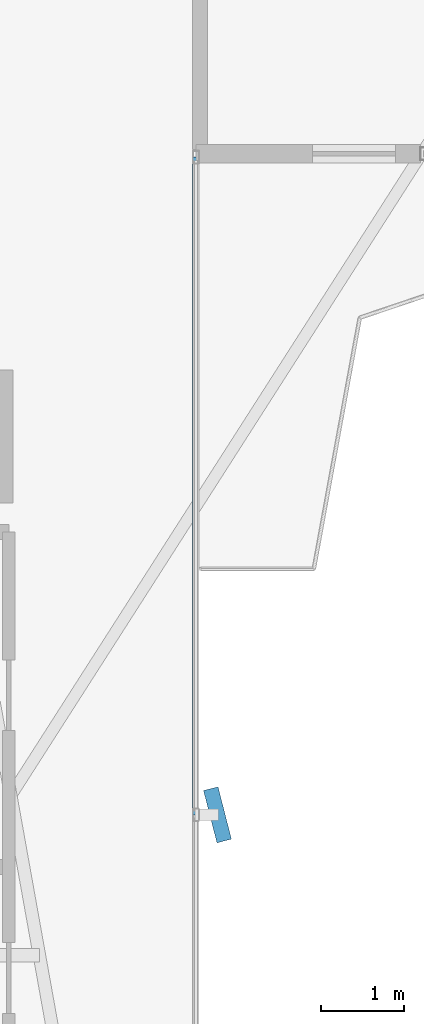
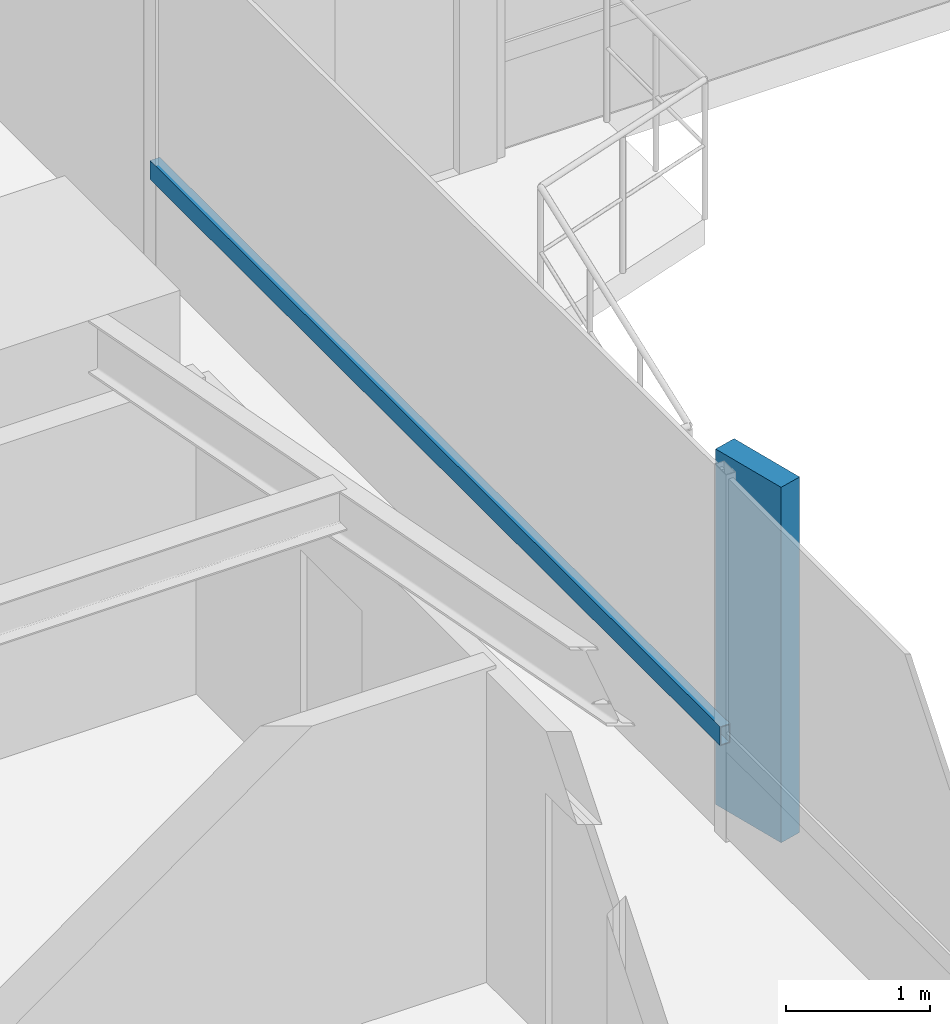
# One storey, part 5 of 25: 2 members, 1 element without a shape of its own.
"""IFC4 building model written with IfcOpenShell, lengths in metres."""

from ifc_helpers import new_model, si_unit, direction, frame, origin, origin_2d, place, context, subcontext, project, spatial, rectangle, hollow_rectangle, extrude, source, transform, mapped, material, material_profile, profile_set, type_object, element, aggregate, save


model = new_model("IFC4")

# Units and contexts
model_context = context("Model", 3, precision=1e-05, world=origin(), true_north=direction((0.0, 1.0)))
body_context = subcontext(model_context, "Body", "Model", "MODEL_VIEW")
ifc_project = project(units=[si_unit("LENGTHUNIT", "METRE"), si_unit("AREAUNIT", "SQUARE_METRE"), si_unit("VOLUMEUNIT", "CUBIC_METRE"), si_unit("PLANEANGLEUNIT", "RADIAN"), si_unit("MASSUNIT", "GRAM", prefix="KILO")], contexts=[model_context])

# Site, building, storey
site_placement = place(None, origin())
site = spatial("IfcSite", under=ifc_project, at=site_placement, CompositionType="ELEMENT")
building_placement = place(site_placement, origin())
building = spatial("IfcBuilding", under=site, at=building_placement, Name="Sahyath Konkavel Grand Hotel", CompositionType="ELEMENT")
storey_placement = place(building_placement, frame((0.0, 0.0, 54.39990234375)))
storey = spatial("IfcBuildingStorey", under=building, at=storey_placement, Name="L14", CompositionType="ELEMENT", Elevation=54.39990234375)

# Curtain wall, members
ifc_material_1 = material(Name="Anodised Bronze Aluminium & Low-E Glazing", Category="aluminium")
curtain_wall_type = type_object("IfcCurtainWallType", Name="CW-ZONE1", PredefinedType="NOTDEFINED", material=ifc_material_1)
curtain_wall_placement = place(storey_placement, origin())
curtain_wall = element("IfcCurtainWall", 1, at=curtain_wall_placement, inside=storey, type_object=curtain_wall_type, Name="L14 Unitised Curtain Wall F31", PredefinedType="NOTDEFINED")
ifc_material_2 = material(Name="Warm Buff Sandstone Cladding on Concrete C50/60", Category="masonry")
ifc_material_profile_1 = material_profile(ifc_material_2, rectangle(XDim=0.179931640625, YDim=0.64990234375, at=origin_2d()), Name="FIN 180x650")
ifc_profile_set_1 = profile_set([ifc_material_profile_1], Name="Warm Buff Sandstone Cladding on Concrete C50/60")
member_type_1 = type_object("IfcMemberType", Name="FIN-SANDSTONE-650", PredefinedType="MULLION", material=ifc_profile_set_1)
shared_shape_1 = source(origin(), body_context, "Body", "SweptSolid", [
    extrude(rectangle(XDim=0.179931640625, YDim=0.64990234375, at=origin_2d()), origin(), (0.0, 0.0, 1.0), 3.010009765625),
])
member_1_placement = place(storey_placement, frame((7.06005859375, -14.75, 0.050048828125), z_axis=(0.0, 0.0, 1.0), x_axis=(0.96862655095, 0.248520833726, 0.0)))
member_1 = element("IfcMember", 2, at=member_1_placement, type_object=member_type_1, Name="L14 Sandstone Vertical Solar Fin FIN F31-1", PredefinedType="MULLION", context=body_context, shape_type="MappedRepresentation", body=[
    mapped(shared_shape_1, transform((0.0, 0.0, 0.0), scale=1.0)),
])
ifc_material_3 = material(Name="Anodised Bronze Aluminium", Category="aluminium")
ifc_material_profile_2 = material_profile(ifc_material_3, hollow_rectangle(XDim=0.080078125, YDim=0.159912109375, WallThickness=0.006103515625, at=origin_2d()), Name="RHS 160x80x6")
ifc_profile_set_2 = profile_set([ifc_material_profile_2], Name="Anodised Bronze Aluminium")
member_type_2 = type_object("IfcMemberType", Name="CW-TRN-160", PredefinedType="USERDEFINED", material=ifc_profile_set_2)
shared_shape_2 = source(origin(), body_context, "Body", "SweptSolid", [
    extrude(hollow_rectangle(XDim=0.080078125, YDim=0.159912109375, WallThickness=0.006103515625, at=origin_2d()), origin(), (0.0, 0.0, 1.0), 7.909912109375),
])
member_2_placement = place(storey_placement, frame((6.800048828125, -14.75, 0.85009765625), z_axis=(0.0, 1.0, 0.0), x_axis=(-1.0, 0.0, 0.0)))
member_2 = element("IfcMember", 3, at=member_2_placement, type_object=member_type_2, Name="L14 Curtain Wall Transom F31-1-spandrel", ObjectType="TRANSOM", PredefinedType="USERDEFINED", context=body_context, shape_type="MappedRepresentation", body=[
    mapped(shared_shape_2, transform((0.0, 0.0, 0.0), scale=1.0)),
])
aggregate(curtain_wall, [member_1, member_2])

save(model, "model.ifc")
